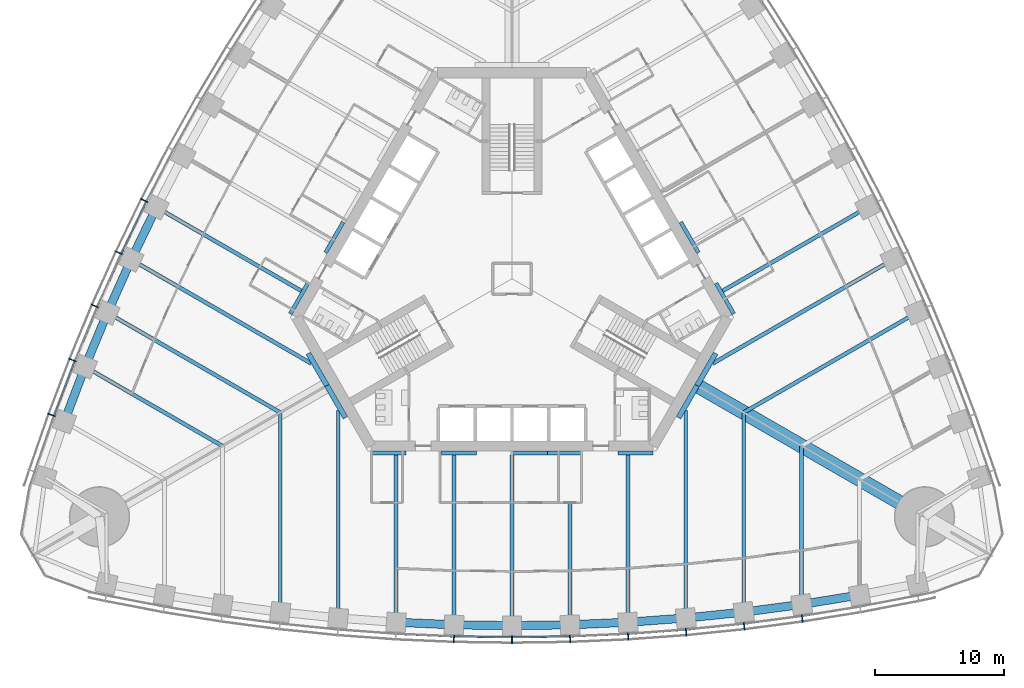
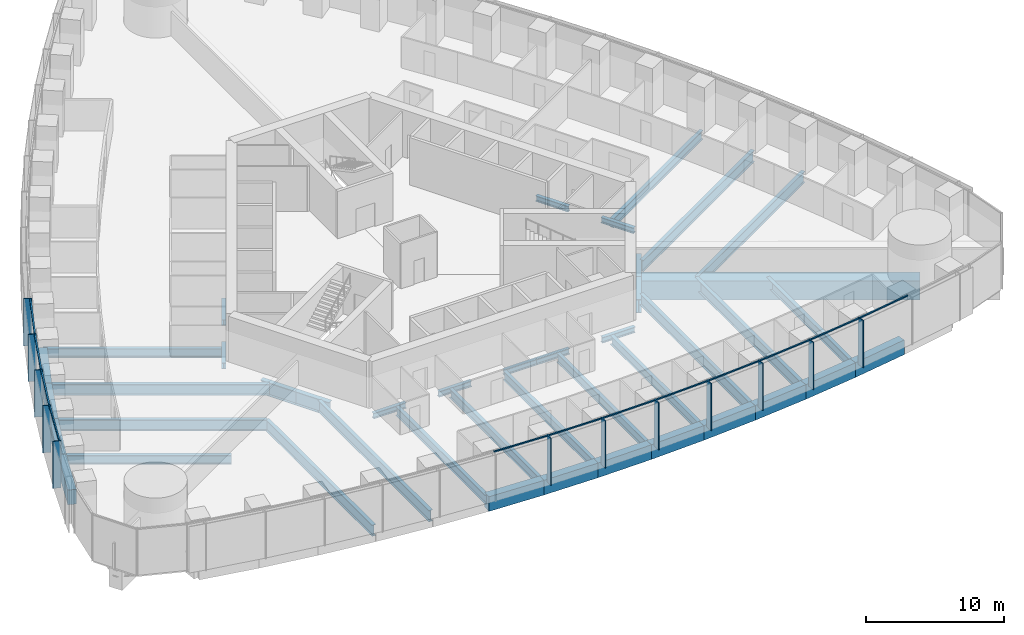
# One storey, part 3 of 19: 43 beams, 24 members, 2 elements without a shape of their own.
"""IFC4 building model written with IfcOpenShell, lengths in metres."""

import ifcopenshell
import ifcopenshell.guid

model = None  # the IFC model being written
_history = None  # IfcOwnerHistory: only IFC2X3 demands one
_inside = {}  # id of a spatial element -> (the spatial element, [elements in it])
_under = {}  # id of a project, library or spatial element -> (it, [spatial elements below it])
_declared = {}  # id of a project -> (the project, [libraries it declares])
_typed = {}  # id of a type object -> (the type object, [elements of that type])
_made_of = {}  # id of a material, layer set ... -> (it, [elements and type objects made of it])


def new_model(schema):
    """Start an empty IFC model of exactly this schema.

    Asked for "IFC4X3", IfcOpenShell would pick the latest addendum, in which some entities
    have other attributes; the version numbers below select the first issue.
    IFC2X3 requires an IfcOwnerHistory on every rooted entity: one is made here for all.
    """
    global model, _history
    if schema == "IFC4X3":
        model = ifcopenshell.file(schema_version=(4, 3, 0, 0))
    else:
        model = ifcopenshell.file(schema=schema)
    _inside.clear()
    _under.clear()
    _declared.clear()
    _typed.clear()
    _made_of.clear()
    _history = None
    if model.schema == "IFC2X3":
        org = make("IfcOrganization", Name="unknown")
        user = make(
            "IfcPersonAndOrganization",
            ThePerson=make("IfcPerson", FamilyName="unknown"),
            TheOrganization=org,
        )
        app = make(
            "IfcApplication",
            ApplicationDeveloper=org,
            Version="unknown",
            ApplicationFullName="unknown",
            ApplicationIdentifier="unknown",
        )
        _history = make(
            "IfcOwnerHistory",
            OwningUser=user,
            OwningApplication=app,
            ChangeAction="ADDED",
            CreationDate=0,
        )
    return model


def make(cls, **values):
    """One entity of the class cls with the attributes given. An attribute that is None is left unset."""
    return model.create_entity(
        cls, **{name: value for name, value in values.items() if value is not None}
    )


def rooted(cls, **values):
    """An entity with a GlobalId (a new one), such as an element, a storey or a relation."""
    return make(cls, GlobalId=ifcopenshell.guid.new(), OwnerHistory=_history, **values)


def si_unit(unit_type, name, prefix=None):
    """IfcSIUnit, for example si_unit("LENGTHUNIT", "METRE", prefix="MILLI")."""
    return make("IfcSIUnit", UnitType=unit_type, Prefix=prefix, Name=name)


def assignment(units):
    """IfcUnitAssignment: the units of a project."""
    return None if units is None else make("IfcUnitAssignment", Units=units)


def point(xyz):
    """IfcCartesianPoint."""
    return None if xyz is None else make("IfcCartesianPoint", Coordinates=xyz)


def direction(xyz):
    """IfcDirection."""
    return None if xyz is None else make("IfcDirection", DirectionRatios=xyz)


def frame(location, z_axis=None, x_axis=None):
    """IfcAxis2Placement3D, a coordinate frame: its origin and axes. An axis left out is left unset."""
    return make(
        "IfcAxis2Placement3D",
        Location=point(location),
        Axis=direction(z_axis),
        RefDirection=direction(x_axis),
    )


def frame_2d(location, x_axis=None):
    """IfcAxis2Placement2D, a coordinate frame in the plane: its origin and x axis."""
    return make(
        "IfcAxis2Placement2D", Location=point(location), RefDirection=direction(x_axis)
    )


def origin():
    """The frame at (0, 0, 0) with its axes left unset."""
    return frame((0.0, 0.0, 0.0))


def origin_2d():
    """The frame at (0, 0) in the plane with its x axis left unset."""
    return frame_2d((0.0, 0.0))


def place(relative_to, where):
    """IfcLocalPlacement: puts the frame where relative to a parent placement (None: the world)."""
    return make(
        "IfcLocalPlacement", PlacementRelTo=relative_to, RelativePlacement=where
    )


def context(
    kind, dimensions, precision=None, world=None, true_north=None, identifier=None
):
    """IfcGeometricRepresentationContext, for example the 3D "Model" context."""
    return make(
        "IfcGeometricRepresentationContext",
        ContextIdentifier=identifier,
        ContextType=kind,
        CoordinateSpaceDimension=dimensions,
        Precision=precision,
        WorldCoordinateSystem=world,
        TrueNorth=true_north,
    )


def subcontext(parent, identifier, kind, view, scale=None):
    """IfcGeometricRepresentationSubContext, for example "Body" below "Model"."""
    return make(
        "IfcGeometricRepresentationSubContext",
        ContextIdentifier=identifier,
        ContextType=kind,
        ParentContext=parent,
        TargetScale=scale,
        TargetView=view,
    )


def project(units=None, contexts=None):
    """IfcProject with its units and contexts."""
    return rooted(
        "IfcProject",
        Name="project",
        RepresentationContexts=contexts,
        UnitsInContext=assignment(units),
    )


def spatial(cls, under=None, at=None, **own):
    """A site, building, storey or space (cls), placed at a placement, below another one or the project."""
    s = rooted(cls, ObjectPlacement=at, **own)
    if under is not None:
        _under.setdefault(under.id(), (under, []))[1].append(s)
    return s


def profile(cls, at=None, kind="AREA", **sizes):
    """A parametric profile (cls). Its sizes go by their IFC names, for example OverallWidth=200.0."""
    return make(cls, ProfileType=kind, Position=at, **sizes)


def rectangle(**sizes):
    """IfcRectangleProfileDef."""
    return profile("IfcRectangleProfileDef", **sizes)


def i_section(**sizes):
    """IfcIShapeProfileDef."""
    return profile("IfcIShapeProfileDef", **sizes)


def extrude(swept, where, along, depth):
    """IfcExtrudedAreaSolid: the profile swept, set in the frame where, extruded along a direction by depth."""
    return make(
        "IfcExtrudedAreaSolid",
        SweptArea=swept,
        Position=where,
        ExtrudedDirection=direction(along),
        Depth=depth,
    )


def shape(context_of_items, identifier, shape_type, items):
    """IfcShapeRepresentation: the items that make up one representation, for example the "Body"."""
    return make(
        "IfcShapeRepresentation",
        ContextOfItems=context_of_items,
        RepresentationIdentifier=identifier,
        RepresentationType=shape_type,
        Items=items,
    )


def material(Name=None, Category=None):
    """IfcMaterial."""
    return make("IfcMaterial", Name=Name, Category=Category)


def material_profile(
    of_material, cross_section, Name=None, Category=None, Priority=None
):
    """IfcMaterialProfile: a cross section and its material."""
    return make(
        "IfcMaterialProfile",
        Name=Name,
        Material=of_material,
        Profile=cross_section,
        Priority=Priority,
        Category=Category,
    )


def profile_set(profiles, Name=None, composite=None):
    """IfcMaterialProfileSet."""
    return make(
        "IfcMaterialProfileSet",
        Name=Name,
        MaterialProfiles=profiles,
        CompositeProfile=composite,
    )


def made_of(thing, what):
    """Note that an element or type object is made of a material, layer set ...; save() writes the relation."""
    if what is not None:
        _made_of.setdefault(what.id(), (what, []))[1].append(thing)
    return thing


def type_object(cls, material=None, **own):
    """A type object (cls), such as IfcWallType, which elements share."""
    return made_of(rooted(cls, **own), material)


def element(
    cls,
    number,
    at=None,
    inside=None,
    cuts=None,
    type_object=None,
    material=None,
    context=None,
    identifier="Body",
    shape_type=None,
    held_by="IfcProductDefinitionShape",
    body=None,
    shapes=None,
    **own,
):
    """One element of the class cls, such as IfcWall. Its Tag is "e" and its number.

    at: its placement. inside: the storey or other place that contains it. cuts: it is an
    opening in that element (IfcRelVoidsElement). A single representation is given by context,
    identifier, shape_type and body (its items); several are given by shapes. held_by: the class
    of the entity that holds the representations. save() writes the other relations.
    """
    e = rooted(cls, Tag="e%d" % number, ObjectPlacement=at, **own)
    if body is not None:
        shapes = [shape(context, identifier, shape_type, body)]
    if shapes is not None:
        e.Representation = make(held_by, Representations=shapes)
    if inside is not None:
        _inside.setdefault(inside.id(), (inside, []))[1].append(e)
    if cuts is not None:
        rooted(
            "IfcRelVoidsElement", RelatingBuildingElement=cuts, RelatedOpeningElement=e
        )
    if type_object is not None:
        _typed.setdefault(type_object.id(), (type_object, []))[1].append(e)
    return made_of(e, material)


def aggregate(whole, parts):
    """IfcRelAggregates: a whole, such as a stair, and the parts it consists of."""
    return rooted("IfcRelAggregates", RelatingObject=whole, RelatedObjects=parts)


def save(model, path):
    """Write the relations noted so far, then the file.

    IfcRelAggregates (storeys below a building ...), IfcRelContainedInSpatialStructure (elements
    in a storey), IfcRelDefinesByType, IfcRelAssociatesMaterial and IfcRelDeclares: one each for
    every whole, place, type object, material and project.
    """
    for whole, parts in _under.values():
        aggregate(whole, parts)
    for where, things in _inside.values():
        rooted(
            "IfcRelContainedInSpatialStructure",
            RelatedElements=things,
            RelatingStructure=where,
        )
    for kind, things in _typed.values():
        rooted("IfcRelDefinesByType", RelatedObjects=things, RelatingType=kind)
    for what, things in _made_of.values():
        rooted("IfcRelAssociatesMaterial", RelatedObjects=things, RelatingMaterial=what)
    for by, libraries in _declared.values():
        rooted("IfcRelDeclares", RelatingContext=by, RelatedDefinitions=libraries)
    model.write(path)


model = new_model("IFC4")

# Units and contexts
model_context = context("Model", 3, precision=1e-05, world=origin(), true_north=direction((0.0, 1.0)))
body_context = subcontext(model_context, "Body", "Model", "MODEL_VIEW")
ifc_project = project(units=[si_unit("LENGTHUNIT", "METRE"), si_unit("AREAUNIT", "SQUARE_METRE"), si_unit("VOLUMEUNIT", "CUBIC_METRE"), si_unit("PLANEANGLEUNIT", "RADIAN"), si_unit("MASSUNIT", "GRAM", prefix="KILO")], contexts=[model_context])

# Site, building, storey
site_placement = place(None, origin())
site = spatial("IfcSite", under=ifc_project, at=site_placement, CompositionType="ELEMENT")
building_placement = place(site_placement, origin())
building = spatial("IfcBuilding", under=site, at=building_placement, Name="Trefoil Bronze Tower", CompositionType="ELEMENT")
storey_placement = place(building_placement, frame((0.0, 0.0, 20.699951171875)))
storey = spatial("IfcBuildingStorey", under=building, at=storey_placement, Name="L04", CompositionType="ELEMENT", Elevation=20.699951171875)

# Curtain wall, members
ifc_material_1 = material(Name="Tinted solar-control glass", Category="glass")
curtain_wall_type = type_object("IfcCurtainWallType", Name="Bronze office curtain wall", PredefinedType="USERDEFINED", material=ifc_material_1)
curtain_wall_1_placement = place(storey_placement, origin())
curtain_wall_1 = element("IfcCurtainWall", 1, at=curtain_wall_1_placement, inside=storey, type_object=curtain_wall_type, Name="CW-A L04 F1", ObjectType="CURTAIN WALL", PredefinedType="USERDEFINED")
ifc_material_2 = material(Name="Bronze-finish aluminium", Category="aluminium")
ifc_material_profile_1 = material_profile(ifc_material_2, rectangle(XDim=0.60009765625, YDim=0.080078125, at=origin_2d()), Name="CW-A mullion")
ifc_profile_set_1 = profile_set([ifc_material_profile_1], Name="Bronze-finish aluminium")
member_type_1 = type_object("IfcMemberType", Name="Bronze office curtain wall mullion", PredefinedType="MULLION", material=ifc_profile_set_1)
member_1_placement = place(storey_placement, frame((-4.5087890625, -27.9833984375, 0.0), z_axis=(0.0, 0.0, 1.0), x_axis=(0.029021671584, 0.999578782577, 0.0)))
member_1 = element("IfcMember", 2, at=member_1_placement, type_object=member_type_1, Name="CW-A L04 F1 mullion 8", PredefinedType="MULLION", context=body_context, shape_type="SweptSolid", body=[
    extrude(rectangle(XDim=0.60009765625, YDim=0.080078125, at=origin_2d()), origin(), (0.0, 0.0, 1.0), 4.179931640625),
])
member_2_placement = place(storey_placement, frame((0.0, -28.048828125, 0.0), z_axis=(0.0, 0.0, 1.0), x_axis=(0.0, 1.0, 0.0)))
member_2 = element("IfcMember", 3, at=member_2_placement, type_object=member_type_1, Name="CW-A L04 F1 mullion 9", PredefinedType="MULLION", context=body_context, shape_type="SweptSolid", body=[
    extrude(rectangle(XDim=0.60009765625, YDim=0.080078125, at=origin_2d()), origin(), (0.0, 0.0, 1.0), 4.179931640625),
])
member_3_placement = place(storey_placement, frame((4.5087890625, -27.9833984375, 0.0), z_axis=(0.0, 0.0, 1.0), x_axis=(-0.029021671584, 0.999578782577, 0.0)))
member_3 = element("IfcMember", 4, at=member_3_placement, type_object=member_type_1, Name="CW-A L04 F1 mullion 10", PredefinedType="MULLION", context=body_context, shape_type="SweptSolid", body=[
    extrude(rectangle(XDim=0.60009765625, YDim=0.080078125, at=origin_2d()), origin(), (0.0, 0.0, 1.0), 4.179931640625),
])
member_4_placement = place(storey_placement, frame((9.017333984375, -27.786865234375, 0.0), z_axis=(0.0, 0.0, 1.0), x_axis=(-0.058043374207, 0.998314062162, 0.0)))
member_4 = element("IfcMember", 5, at=member_4_placement, type_object=member_type_1, Name="CW-A L04 F1 mullion 11", PredefinedType="MULLION", context=body_context, shape_type="SweptSolid", body=[
    extrude(rectangle(XDim=0.60009765625, YDim=0.080078125, at=origin_2d()), origin(), (0.0, 0.0, 1.0), 4.179931640625),
])
member_5_placement = place(storey_placement, frame((13.526123046875, -27.458984375, 0.0), z_axis=(0.0, 0.0, 1.0), x_axis=(-0.087065139456, 0.996202620701, 0.0)))
member_5 = element("IfcMember", 6, at=member_5_placement, type_object=member_type_1, Name="CW-A L04 F1 mullion 12", PredefinedType="MULLION", context=body_context, shape_type="SweptSolid", body=[
    extrude(rectangle(XDim=0.60009765625, YDim=0.080078125, at=origin_2d()), origin(), (0.0, 0.0, 1.0), 4.179931640625),
])
member_6_placement = place(storey_placement, frame((18.034912109375, -26.99853515625, 0.0), z_axis=(0.0, 0.0, 1.0), x_axis=(-0.116086999973, 0.993239048989, 0.0)))
member_6 = element("IfcMember", 7, at=member_6_placement, type_object=member_type_1, Name="CW-A L04 F1 mullion 13", PredefinedType="MULLION", context=body_context, shape_type="SweptSolid", body=[
    extrude(rectangle(XDim=0.60009765625, YDim=0.080078125, at=origin_2d()), origin(), (0.0, 0.0, 1.0), 4.179931640625),
])
member_7_placement = place(storey_placement, frame((22.54345703125, -26.40478515625, 0.0), z_axis=(0.0, 0.0, 1.0), x_axis=(-0.145108990094, 0.989415676546, 0.0)))
member_7 = element("IfcMember", 8, at=member_7_placement, type_object=member_type_1, Name="CW-A L04 F1 mullion 14", PredefinedType="MULLION", context=body_context, shape_type="SweptSolid", body=[
    extrude(rectangle(XDim=0.60009765625, YDim=0.080078125, at=origin_2d()), origin(), (0.0, 0.0, 1.0), 4.179931640625),
])

curtain_wall_2_placement = place(storey_placement, origin())
curtain_wall_2 = element("IfcCurtainWall", 9, at=curtain_wall_2_placement, inside=storey, type_object=curtain_wall_type, Name="CW-A L04 F3", ObjectType="CURTAIN WALL", PredefinedType="USERDEFINED")
member_8_placement = place(storey_placement, frame((-28.57275390625, 6.084228515625, 0.0), z_axis=(0.0, 0.0, 1.0), x_axis=(0.893587025891, -0.448889994497, 0.0)))
member_8 = element("IfcMember", 10, at=member_8_placement, type_object=member_type_1, Name="CW-A L04 F3 mullion 11", PredefinedType="MULLION", context=body_context, shape_type="SweptSolid", body=[
    extrude(rectangle(XDim=0.60009765625, YDim=0.080078125, at=origin_2d()), origin(), (0.0, 0.0, 1.0), 4.179931640625),
])
member_9_placement = place(storey_placement, frame((-30.543212890625, 2.015380859375, 0.0), z_axis=(0.0, 0.0, 1.0), x_axis=(0.906269346572, -0.422700687798, 0.0)))
member_9 = element("IfcMember", 11, at=member_9_placement, type_object=member_type_1, Name="CW-A L04 F3 mullion 12", PredefinedType="MULLION", context=body_context, shape_type="SweptSolid", body=[
    extrude(rectangle(XDim=0.60009765625, YDim=0.080078125, at=origin_2d()), origin(), (0.0, 0.0, 1.0), 4.179931640625),
])
member_10_placement = place(storey_placement, frame((-32.39892578125, -2.119384765625, 0.0), z_axis=(0.0, 0.0, 1.0), x_axis=(0.918213748442, -0.396085233469, 0.0)))
member_10 = element("IfcMember", 12, at=member_10_placement, type_object=member_type_1, Name="CW-A L04 F3 mullion 13", PredefinedType="MULLION", context=body_context, shape_type="SweptSolid", body=[
    extrude(rectangle(XDim=0.60009765625, YDim=0.080078125, at=origin_2d()), origin(), (0.0, 0.0, 1.0), 4.179931640625),
])
member_11_placement = place(storey_placement, frame((-34.138916015625, -6.32080078125, 0.0), z_axis=(0.0, 0.0, 1.0), x_axis=(0.929413605838, -0.369039766534, 0.0)))
member_11 = element("IfcMember", 13, at=member_11_placement, type_object=member_type_1, Name="CW-A L04 F3 mullion 14", PredefinedType="MULLION", context=body_context, shape_type="SweptSolid", body=[
    extrude(rectangle(XDim=0.60009765625, YDim=0.080078125, at=origin_2d()), origin(), (0.0, 0.0, 1.0), 4.179931640625),
])
member_12_placement = place(storey_placement, frame((-35.761962890625, -10.590087890625, 0.0), z_axis=(0.0, 0.0, 1.0), x_axis=(0.939860248316, -0.341559238839, 0.0)))
member_12 = element("IfcMember", 14, at=member_12_placement, type_object=member_type_1, Name="CW-A L04 F3 mullion 15", PredefinedType="MULLION", context=body_context, shape_type="SweptSolid", body=[
    extrude(rectangle(XDim=0.60009765625, YDim=0.080078125, at=origin_2d()), origin(), (0.0, 0.0, 1.0), 4.179931640625),
])

# Member
ifc_material_3 = material(Name="Bronze-finish aluminium", Category="aluminium")
ifc_material_profile_2 = material_profile(ifc_material_3, rectangle(XDim=0.1201171875, YDim=0.10009765625, at=origin_2d()), Name="CW-A transom")
ifc_profile_set_2 = profile_set([ifc_material_profile_2], Name="Bronze-finish aluminium")
member_type_2 = type_object("IfcMemberType", Name="Bronze office curtain wall transom", PredefinedType="USERDEFINED", material=ifc_profile_set_2)
member_13_placement = place(storey_placement, frame((-8.96435546875, -27.589111328125, 4.130126953125), z_axis=(0.999054074786, -0.043485119914, 0.0), x_axis=(0.043485119914, 0.999054074786, 0.0)))
member_13 = element("IfcMember", 15, at=member_13_placement, type_object=member_type_2, Name="CW-A L04 F1 transom 7", ObjectType="TRANSOM", PredefinedType="USERDEFINED", context=body_context, shape_type="SweptSolid", body=[
    extrude(rectangle(XDim=0.1201171875, YDim=0.10009765625, at=origin_2d()), origin(), (0.0, 0.0, 1.0), 4.424072265625),
])

member_14_placement = place(storey_placement, frame((-4.46142578125, -27.783935546875, 4.130126953125), z_axis=(0.999894497273, -0.014525643658, 0.0), x_axis=(0.014525643658, 0.999894497273, 0.0)))
member_14 = element("IfcMember", 16, at=member_14_placement, type_object=member_type_2, Name="CW-A L04 F1 transom 8", ObjectType="TRANSOM", PredefinedType="USERDEFINED", context=body_context, shape_type="SweptSolid", body=[
    extrude(rectangle(XDim=0.1201171875, YDim=0.10009765625, at=origin_2d()), origin(), (0.0, 0.0, 1.0), 4.42041015625),
])

member_15_placement = place(storey_placement, frame((0.04150390625, -27.84814453125, 4.130126953125), z_axis=(0.999894497273, 0.014525643658, 0.0), x_axis=(-0.014525643658, 0.999894497273, 0.0)))
member_15 = element("IfcMember", 17, at=member_15_placement, type_object=member_type_2, Name="CW-A L04 F1 transom 9", ObjectType="TRANSOM", PredefinedType="USERDEFINED", context=body_context, shape_type="SweptSolid", body=[
    extrude(rectangle(XDim=0.1201171875, YDim=0.10009765625, at=origin_2d()), origin(), (0.0, 0.0, 1.0), 4.42041015625),
])

member_16_placement = place(storey_placement, frame((4.54443359375, -27.781494140625, 4.130126953125), z_axis=(0.999054074786, 0.043485119914, 0.0), x_axis=(-0.043485119914, 0.999054074786, 0.0)))
member_16 = element("IfcMember", 18, at=member_16_placement, type_object=member_type_2, Name="CW-A L04 F1 transom 10", ObjectType="TRANSOM", PredefinedType="USERDEFINED", context=body_context, shape_type="SweptSolid", body=[
    extrude(rectangle(XDim=0.1201171875, YDim=0.10009765625, at=origin_2d()), origin(), (0.0, 0.0, 1.0), 4.424072265625),
])

member_17_placement = place(storey_placement, frame((9.047119140625, -27.584228515625, 4.130126953125), z_axis=(0.997364729945, 0.07255064067, 0.0), x_axis=(-0.07255064067, 0.997364729945, 0.0)))
member_17 = element("IfcMember", 19, at=member_17_placement, type_object=member_type_2, Name="CW-A L04 F1 transom 11", ObjectType="TRANSOM", PredefinedType="USERDEFINED", context=body_context, shape_type="SweptSolid", body=[
    extrude(rectangle(XDim=0.1201171875, YDim=0.10009765625, at=origin_2d()), origin(), (0.0, 0.0, 1.0), 4.431884765625),
])

member_18_placement = place(storey_placement, frame((13.550048828125, -27.25537109375, 4.130126953125), z_axis=(0.994831650915, 0.101538102888, 0.0), x_axis=(-0.101538102888, 0.994831650915, 0.0)))
member_18 = element("IfcMember", 20, at=member_18_placement, type_object=member_type_2, Name="CW-A L04 F1 transom 12", ObjectType="TRANSOM", PredefinedType="USERDEFINED", context=body_context, shape_type="SweptSolid", body=[
    extrude(rectangle(XDim=0.1201171875, YDim=0.10009765625, at=origin_2d()), origin(), (0.0, 0.0, 1.0), 4.443359375),
])

member_19_placement = place(storey_placement, frame((18.052734375, -26.79443359375, 4.130126953125), z_axis=(0.991436581643, 0.13058906761, 0.0), x_axis=(-0.13058906761, 0.991436581643, 0.0)))
member_19 = element("IfcMember", 21, at=member_19_placement, type_object=member_type_2, Name="CW-A L04 F1 transom 13", ObjectType="TRANSOM", PredefinedType="USERDEFINED", context=body_context, shape_type="SweptSolid", body=[
    extrude(rectangle(XDim=0.1201171875, YDim=0.10009765625, at=origin_2d()), origin(), (0.0, 0.0, 1.0), 4.458740234375),
])

member_20_placement = place(storey_placement, frame((22.555419921875, -26.2001953125, 4.130126953125), z_axis=(0.987179401487, 0.159614627398, 0.0), x_axis=(-0.159614627398, 0.987179401487, 0.0)))
member_20 = element("IfcMember", 22, at=member_20_placement, type_object=member_type_2, Name="CW-A L04 F1 transom 14", ObjectType="TRANSOM", PredefinedType="USERDEFINED", context=body_context, shape_type="SweptSolid", body=[
    extrude(rectangle(XDim=0.1201171875, YDim=0.10009765625, at=origin_2d()), origin(), (0.0, 0.0, 1.0), 4.478515625),
])

aggregate(curtain_wall_1, [member_1, member_2, member_3, member_4, member_5, member_6, member_7, member_13, member_14, member_15, member_16, member_17, member_18, member_19, member_20])

member_21_placement = place(storey_placement, frame((-28.412109375, 5.95703125, 4.130126953125), z_axis=(-0.435851763293, -0.900018466719, 0.0), x_axis=(0.900018466719, -0.435851763293, 0.0)))
member_21 = element("IfcMember", 23, at=member_21_placement, type_object=member_type_2, Name="CW-A L04 F3 transom 11", ObjectType="TRANSOM", PredefinedType="USERDEFINED", context=body_context, shape_type="SweptSolid", body=[
    extrude(rectangle(XDim=0.1201171875, YDim=0.10009765625, at=origin_2d()), origin(), (0.0, 0.0, 1.0), 4.431884765625),
])

member_22_placement = place(storey_placement, frame((-30.37890625, 1.89306640625, 4.130126953125), z_axis=(-0.409459746452, -0.912328184392, 0.0), x_axis=(0.912328184392, -0.409459746452, 0.0)))
member_22 = element("IfcMember", 24, at=member_22_placement, type_object=member_type_2, Name="CW-A L04 F3 transom 12", ObjectType="TRANSOM", PredefinedType="USERDEFINED", context=body_context, shape_type="SweptSolid", body=[
    extrude(rectangle(XDim=0.1201171875, YDim=0.10009765625, at=origin_2d()), origin(), (0.0, 0.0, 1.0), 4.443359375),
])

member_23_placement = place(storey_placement, frame((-32.231201171875, -2.23681640625, 4.130126953125), z_axis=(-0.382616149417, -0.923907399151, 0.0), x_axis=(0.923907399151, -0.382616149417, 0.0)))
member_23 = element("IfcMember", 25, at=member_23_placement, type_object=member_type_2, Name="CW-A L04 F3 transom 13", ObjectType="TRANSOM", PredefinedType="USERDEFINED", context=body_context, shape_type="SweptSolid", body=[
    extrude(rectangle(XDim=0.1201171875, YDim=0.10009765625, at=origin_2d()), origin(), (0.0, 0.0, 1.0), 4.458984375),
])

member_24_placement = place(storey_placement, frame((-33.9677734375, -6.433349609375, 4.130126953125), z_axis=(-0.355367327392, -0.934726731522, 0.0), x_axis=(0.934726731522, -0.355367327392, 0.0)))
member_24 = element("IfcMember", 26, at=member_24_placement, type_object=member_type_2, Name="CW-A L04 F3 transom 14", ObjectType="TRANSOM", PredefinedType="USERDEFINED", context=body_context, shape_type="SweptSolid", body=[
    extrude(rectangle(XDim=0.1201171875, YDim=0.10009765625, at=origin_2d()), origin(), (0.0, 0.0, 1.0), 4.478515625),
])

aggregate(curtain_wall_2, [member_8, member_9, member_10, member_11, member_12, member_21, member_22, member_23, member_24])

# Beams
ifc_material_4 = material(Name="Steel C355", Category="steel")
ifc_material_profile_3 = material_profile(ifc_material_4, i_section(OverallWidth=0.300048828125, OverallDepth=0.5, WebThickness=0.014404296875, FlangeThickness=0.028076171875, FilletRadius=0.027099609375, at=origin_2d()), Name="HEB 500")
ifc_profile_set_3 = profile_set([ifc_material_profile_3], Name="Steel C355")
beam_type_1 = type_object("IfcBeamType", Name="Core seat beam HEB 500", PredefinedType="BEAM", material=ifc_profile_set_3)
for number, where, z_axis, x_axis, name in (
    (27, (-10.9697265625, -13.550048828125, -0.449951171875), (1.0, 0.0, 0.0), (0.0, 1.0, 0.0), "Core seat beam F1/-2 L04"),
    (28, (-5.48486328125, -13.550048828125, -0.449951171875), (1.0, 0.0, 0.0), (0.0, 1.0, 0.0), "Core seat beam F1/-1 L04"),
    (29, (0.0, -13.550048828125, -0.449951171875), (1.0, 0.0, 0.0), (0.0, 1.0, 0.0), "Core seat beam F1/+0 L04"),
    (30, (2.742431640625, -13.550048828125, -0.449951171875), (1.0, 0.0, 0.0), (0.0, 1.0, 0.0), "Core seat beam F1/+1 L04"),
    (31, (8.227294921875, -13.550048828125, -0.449951171875), (1.0, 0.0, 0.0), (0.0, 1.0, 0.0), "Core seat beam F1/+2 L04"),
    (32, (17.219482421875, -2.72509765625, -0.449951171875), (-0.500035825175, 0.866004719122, 0.0), (-0.866004719122, -0.500035825175, 0.0), "Core seat beam F2/-2 L04"),
    (33, (14.47705078125, 2.02490234375, -0.449951171875), (-0.499969057507, 0.866043267704, 0.0), (-0.866043267704, -0.499969057507, 0.0), "Core seat beam F2/-1 L04"),
    (34, (-13.10595703125, 4.39990234375, -0.449951171875), (-0.499969057507, -0.866043267704, 0.0), (0.866043267704, -0.499969057507, 0.0), "Core seat beam F3/+1 L04"),
    (35, (-15.84814453125, -0.35009765625, -0.449951171875), (-0.500035825175, -0.866004719122, 0.0), (0.866004719122, -0.500035825175, 0.0), "Core seat beam F3/+2 L04"),
):
    element("IfcBeam", number, at=place(storey_placement, frame(where, z_axis=z_axis, x_axis=x_axis)), inside=storey, type_object=beam_type_1, Name=name, PredefinedType="BEAM", context=body_context, shape_type="SweptSolid", body=[
        extrude(i_section(OverallWidth=0.300048828125, OverallDepth=0.5, WebThickness=0.014404296875, FlangeThickness=0.028076171875, FilletRadius=0.027099609375, at=origin_2d()), origin(), (0.0, 0.0, 1.0), 2.742431640625),
    ])
ifc_material_5 = material(Name="Steel C355", Category="steel")
ifc_material_profile_4 = material_profile(ifc_material_5, i_section(OverallWidth=0.39990234375, OverallDepth=1.199951171875, WebThickness=0.02001953125, FlangeThickness=0.0400390625, FilletRadius=0.010009765625, at=origin_2d()), Name="WPG 1200")
ifc_profile_set_4 = profile_set([ifc_material_profile_4], Name="Steel C355")
beam_type_2 = type_object("IfcBeamType", Name="Core seat beam WPG 1200", PredefinedType="BEAM", material=ifc_profile_set_4)
for number, where, z_axis, x_axis, name in (
    (36, (-14.3759765625, -8.300048828125, -0.800048828125), (0.499995765644, -0.866027848477, 0.0), (0.866027848477, 0.499995765644, 0.0), "Core seat beam F1/-3 L04"),
    (37, (12.9326171875, -10.800048828125, -0.800048828125), (0.499995765644, 0.866027848477, 0.0), (-0.866027848477, 0.499995765644, 0.0), "Core seat beam F1/+3 L04"),
    (38, (14.3759765625, -8.300048828125, -0.800048828125), (0.499995765644, 0.866027848477, 0.0), (-0.866027848477, 0.499995765644, 0.0), "Core seat beam F2/-3 L04"),
    (39, (-15.8193359375, -5.800048828125, -0.800048828125), (0.499995765644, -0.866027848477, 0.0), (0.866027848477, 0.499995765644, 0.0), "Core seat beam F3/+3 L04"),
):
    element("IfcBeam", number, at=place(storey_placement, frame(where, z_axis=z_axis, x_axis=x_axis)), inside=storey, type_object=beam_type_2, Name=name, PredefinedType="BEAM", context=body_context, shape_type="SweptSolid", body=[
        extrude(i_section(OverallWidth=0.39990234375, OverallDepth=1.199951171875, WebThickness=0.02001953125, FlangeThickness=0.0400390625, FilletRadius=0.010009765625, at=origin_2d()), origin(), (0.0, 0.0, 1.0), 2.88671875),
    ])
ifc_material_6 = material(Name="Concrete B80", Category="concrete")
ifc_material_profile_5 = material_profile(ifc_material_6, rectangle(XDim=1.10009765625, YDim=1.699951171875, at=origin_2d()), Name="RC 1100x1700")
ifc_profile_set_5 = profile_set([ifc_material_profile_5], Name="Concrete B80")
beam_type_3 = type_object("IfcBeamType", Name="Corner girder RC 1100x1700", PredefinedType="BEAM", material=ifc_profile_set_5)
beam_1_placement = place(storey_placement, frame((14.202880859375, -8.199951171875, -1.050048828125), z_axis=(0.866023947468, -0.500002522405, 0.0), x_axis=(0.500002522405, 0.866023947468, 0.0)))
element("IfcBeam", 40, at=beam_1_placement, inside=storey, type_object=beam_type_3, Name="Corner girder K1 L04", PredefinedType="BEAM", context=body_context, shape_type="SweptSolid", body=[
    extrude(rectangle(XDim=1.10009765625, YDim=1.699951171875, at=origin_2d()), origin(), (0.0, 0.0, 1.0), 20.60009765625),
])
ifc_material_7 = material(Name="Steel C355", Category="steel")
ifc_material_profile_6 = material_profile(ifc_material_7, i_section(OverallWidth=0.300048828125, OverallDepth=1.0, WebThickness=0.01904296875, FlangeThickness=0.035888671875, FilletRadius=0.030029296875, at=origin_2d()), Name="HEB 1000")
ifc_profile_set_6 = profile_set([ifc_material_profile_6], Name="Steel C355")
beam_type_4 = type_object("IfcBeamType", Name="Floor beam HEB 1000", PredefinedType="BEAM", material=ifc_profile_set_6)
for number, where, z_axis, x_axis, name in (
    (41, (-18.0, -25.895263671875, -0.699951171875), (0.0, 1.0, 0.0), (-1.0, 0.0, 0.0), "Floor beam F1/-4 L04"),
    (42, (18.0, -25.895263671875, -0.699951171875), (0.0, 1.0, 0.0), (-1.0, 0.0, 0.0), "Floor beam F1/+4 L04"),
):
    element("IfcBeam", number, at=place(storey_placement, frame(where, z_axis=z_axis, x_axis=x_axis)), inside=storey, type_object=beam_type_4, Name=name, PredefinedType="BEAM", context=body_context, shape_type="SweptSolid", body=[
        extrude(i_section(OverallWidth=0.300048828125, OverallDepth=1.0, WebThickness=0.01904296875, FlangeThickness=0.035888671875, FilletRadius=0.030029296875, at=origin_2d()), origin(), (0.0, 0.0, 1.0), 15.5029296875),
    ])
for number, where, z_axis, x_axis, name in (
    (43, (31.42578125, -2.640869140625, -0.699951171875), (-0.866022989816, -0.500004181093, 0.0), (0.500004181093, -0.866022989816, 0.0), "Floor beam F2/-4 L04"),
    (44, (-31.42578125, -2.640869140625, -0.699951171875), (0.866022989816, -0.500004181093, 0.0), (0.500004181093, 0.866022989816, 0.0), "Floor beam F3/+4 L04"),
):
    element("IfcBeam", number, at=place(storey_placement, frame(where, z_axis=z_axis, x_axis=x_axis)), inside=storey, type_object=beam_type_4, Name=name, PredefinedType="BEAM", context=body_context, shape_type="SweptSolid", body=[
        extrude(i_section(OverallWidth=0.300048828125, OverallDepth=1.0, WebThickness=0.01904296875, FlangeThickness=0.035888671875, FilletRadius=0.030029296875, at=origin_2d()), origin(), (0.0, 0.0, 1.0), 15.502685546875),
    ])
ifc_material_8 = material(Name="Steel C355", Category="steel")
ifc_material_profile_7 = material_profile(ifc_material_8, i_section(OverallWidth=0.300048828125, OverallDepth=0.800048828125, WebThickness=0.017578125, FlangeThickness=0.032958984375, FilletRadius=0.030029296875, at=origin_2d()), Name="HEB 800")
ifc_profile_set_7 = profile_set([ifc_material_profile_7], Name="Steel C355")
beam_type_5 = type_object("IfcBeamType", Name="Floor beam HEB 800", PredefinedType="BEAM", material=ifc_profile_set_7)
beam_2_placement = place(storey_placement, frame((-9.0, -26.68603515625, -0.599853515625), z_axis=(0.0, 1.0, 0.0), x_axis=(-1.0, 0.0, 0.0)))
element("IfcBeam", 45, at=beam_2_placement, inside=storey, type_object=beam_type_5, Name="Floor beam F1/-2 L04", PredefinedType="BEAM", context=body_context, shape_type="SweptSolid", body=[
    extrude(i_section(OverallWidth=0.300048828125, OverallDepth=0.800048828125, WebThickness=0.017578125, FlangeThickness=0.032958984375, FilletRadius=0.030029296875, at=origin_2d()), origin(), (0.0, 0.0, 1.0), 12.986083984375),
])
beam_3_placement = place(storey_placement, frame((-4.5, -26.883056640625, -0.599853515625), z_axis=(0.0, 1.0, 0.0), x_axis=(-1.0, 0.0, 0.0)))
element("IfcBeam", 46, at=beam_3_placement, inside=storey, type_object=beam_type_5, Name="Floor beam F1/-1 L04", PredefinedType="BEAM", context=body_context, shape_type="SweptSolid", body=[
    extrude(i_section(OverallWidth=0.300048828125, OverallDepth=0.800048828125, WebThickness=0.017578125, FlangeThickness=0.032958984375, FilletRadius=0.030029296875, at=origin_2d()), origin(), (0.0, 0.0, 1.0), 13.18310546875),
])
beam_4_placement = place(storey_placement, frame((0.0, -26.94873046875, -0.599853515625), z_axis=(0.0, 1.0, 0.0), x_axis=(-1.0, 0.0, 0.0)))
element("IfcBeam", 47, at=beam_4_placement, inside=storey, type_object=beam_type_5, Name="Floor beam F1/+0 L04", PredefinedType="BEAM", context=body_context, shape_type="SweptSolid", body=[
    extrude(i_section(OverallWidth=0.300048828125, OverallDepth=0.800048828125, WebThickness=0.017578125, FlangeThickness=0.032958984375, FilletRadius=0.030029296875, at=origin_2d()), origin(), (0.0, 0.0, 1.0), 13.248779296875),
])
beam_5_placement = place(storey_placement, frame((4.5, -26.883056640625, -0.599853515625), z_axis=(0.0, 1.0, 0.0), x_axis=(-1.0, 0.0, 0.0)))
element("IfcBeam", 48, at=beam_5_placement, inside=storey, type_object=beam_type_5, Name="Floor beam F1/+1 L04", PredefinedType="BEAM", context=body_context, shape_type="SweptSolid", body=[
    extrude(i_section(OverallWidth=0.300048828125, OverallDepth=0.800048828125, WebThickness=0.017578125, FlangeThickness=0.032958984375, FilletRadius=0.030029296875, at=origin_2d()), origin(), (0.0, 0.0, 1.0), 13.18310546875),
])
beam_6_placement = place(storey_placement, frame((9.0, -26.68603515625, -0.599853515625), z_axis=(0.0, 1.0, 0.0), x_axis=(-1.0, 0.0, 0.0)))
element("IfcBeam", 49, at=beam_6_placement, inside=storey, type_object=beam_type_5, Name="Floor beam F1/+2 L04", PredefinedType="BEAM", context=body_context, shape_type="SweptSolid", body=[
    extrude(i_section(OverallWidth=0.300048828125, OverallDepth=0.800048828125, WebThickness=0.017578125, FlangeThickness=0.032958984375, FilletRadius=0.030029296875, at=origin_2d()), origin(), (0.0, 0.0, 1.0), 12.986083984375),
])
beam_7_placement = place(storey_placement, frame((22.5, -25.29931640625, -0.599853515625), z_axis=(0.0, 1.0, 0.0), x_axis=(-1.0, 0.0, 0.0)))
element("IfcBeam", 50, at=beam_7_placement, inside=storey, type_object=beam_type_5, Name="Floor beam F1/+5 L04", PredefinedType="BEAM", context=body_context, shape_type="SweptSolid", body=[
    extrude(i_section(OverallWidth=0.300048828125, OverallDepth=0.800048828125, WebThickness=0.017578125, FlangeThickness=0.032958984375, FilletRadius=0.030029296875, at=origin_2d()), origin(), (0.0, 0.0, 1.0), 12.308837890625),
])
for number, where, z_axis, x_axis, name in (
    (51, (27.61083984375, 5.548828125, -0.599853515625), (-0.866022474361, -0.500005073876, 0.0), (0.500005073876, -0.866022474361, 0.0), "Floor beam F2/-2 L04"),
    (52, (-27.61083984375, 5.548828125, -0.599853515625), (0.866022474361, -0.500005073876, 0.0), (0.500005073876, 0.866022474361, 0.0), "Floor beam F3/+2 L04"),
):
    element("IfcBeam", number, at=place(storey_placement, frame(where, z_axis=z_axis, x_axis=x_axis)), inside=storey, type_object=beam_type_5, Name=name, PredefinedType="BEAM", context=body_context, shape_type="SweptSolid", body=[
        extrude(i_section(OverallWidth=0.300048828125, OverallDepth=0.800048828125, WebThickness=0.017578125, FlangeThickness=0.032958984375, FilletRadius=0.030029296875, at=origin_2d()), origin(), (0.0, 0.0, 1.0), 12.986083984375),
    ])
beam_8_placement = place(storey_placement, frame((-33.159912109375, -6.8359375, -0.599853515625), z_axis=(0.866024070878, -0.500002308654, 0.0), x_axis=(0.500002308654, 0.866024070878, 0.0)))
element("IfcBeam", 53, at=beam_8_placement, inside=storey, type_object=beam_type_5, Name="Floor beam F3/+5 L04", PredefinedType="BEAM", context=body_context, shape_type="SweptSolid", body=[
    extrude(i_section(OverallWidth=0.300048828125, OverallDepth=0.800048828125, WebThickness=0.017578125, FlangeThickness=0.032958984375, FilletRadius=0.030029296875, at=origin_2d()), origin(), (0.0, 0.0, 1.0), 12.30908203125),
])
ifc_material_9 = material(Name="Steel C355", Category="steel")
ifc_material_profile_8 = material_profile(ifc_material_9, i_section(OverallWidth=0.302001953125, OverallDepth=1.008056640625, WebThickness=0.02099609375, FlangeThickness=0.0400390625, FilletRadius=0.030029296875, at=origin_2d()), Name="HEM 1000")
ifc_profile_set_8 = profile_set([ifc_material_profile_8], Name="Steel C355")
beam_type_6 = type_object("IfcBeamType", Name="Floor beam HEM 1000", PredefinedType="BEAM", material=ifc_profile_set_8)
for number, where, z_axis, x_axis, name in (
    (54, (-13.5, -26.35693359375, -0.703857421875), (0.0, 1.0, 0.0), (-1.0, 0.0, 0.0), "Floor beam F1/-3 L04"),
    (55, (13.5, -26.35693359375, -0.703857421875), (0.0, 1.0, 0.0), (-1.0, 0.0, 0.0), "Floor beam F1/+3 L04"),
):
    element("IfcBeam", number, at=place(storey_placement, frame(where, z_axis=z_axis, x_axis=x_axis)), inside=storey, type_object=beam_type_6, Name=name, PredefinedType="BEAM", context=body_context, shape_type="SweptSolid", body=[
        extrude(i_section(OverallWidth=0.302001953125, OverallDepth=1.008056640625, WebThickness=0.02099609375, FlangeThickness=0.0400390625, FilletRadius=0.030029296875, at=origin_2d()), origin(), (0.0, 0.0, 1.0), 16.1396484375),
    ])
for number, where, z_axis, x_axis, name in (
    (56, (29.575927734375, 1.487060546875, -0.703857421875), (-0.866028401131, -0.499994808408, 0.0), (0.499994808408, -0.866028401131, 0.0), "Floor beam F2/-3 L04"),
    (57, (-29.575927734375, 1.487060546875, -0.703857421875), (0.866028401131, -0.499994808408, 0.0), (0.499994808408, 0.866028401131, 0.0), "Floor beam F3/+3 L04"),
):
    element("IfcBeam", number, at=place(storey_placement, frame(where, z_axis=z_axis, x_axis=x_axis)), inside=storey, type_object=beam_type_6, Name=name, PredefinedType="BEAM", context=body_context, shape_type="SweptSolid", body=[
        extrude(i_section(OverallWidth=0.302001953125, OverallDepth=1.008056640625, WebThickness=0.02099609375, FlangeThickness=0.0400390625, FilletRadius=0.030029296875, at=origin_2d()), origin(), (0.0, 0.0, 1.0), 16.139892578125),
    ])
ifc_material_10 = material(Name="Concrete B80", Category="concrete")
ifc_material_profile_9 = material_profile(ifc_material_10, rectangle(XDim=0.64990234375, YDim=1.300048828125, at=origin_2d()), Name="RC 650x1300")
ifc_profile_set_9 = profile_set([ifc_material_profile_9], Name="Concrete B80")
beam_type_7 = type_object("IfcBeamType", Name="Spandrel beam RC 650x1300", PredefinedType="SPANDREL", material=ifc_profile_set_9)
beam_9_placement = place(storey_placement, frame((-9.0, -26.68603515625, -0.849853515625), z_axis=(0.999042919826, -0.043740648671, 0.0), x_axis=(0.043740648671, 0.999042919826, 0.0)))
element("IfcBeam", 58, at=beam_9_placement, inside=storey, type_object=beam_type_7, Name="Spandrel F1.7 L04", PredefinedType="SPANDREL", context=body_context, shape_type="SweptSolid", body=[
    extrude(rectangle(XDim=0.64990234375, YDim=1.300048828125, at=origin_2d()), origin(), (0.0, 0.0, 1.0), 4.50439453125),
])
for number, where, z_axis, x_axis, name in (
    (59, (-4.5, -26.883056640625, -0.849853515625), (0.999893521905, -0.014592630067, 0.0), (0.014592630067, 0.999893521905, 0.0), "Spandrel F1.8 L04"),
    (60, (0.0, -26.94873046875, -0.849853515625), (0.999893521905, 0.014592630067, 0.0), (-0.014592630067, 0.999893521905, 0.0), "Spandrel F1.9 L04"),
):
    element("IfcBeam", number, at=place(storey_placement, frame(where, z_axis=z_axis, x_axis=x_axis)), inside=storey, type_object=beam_type_7, Name=name, PredefinedType="SPANDREL", context=body_context, shape_type="SweptSolid", body=[
        extrude(rectangle(XDim=0.64990234375, YDim=1.300048828125, at=origin_2d()), origin(), (0.0, 0.0, 1.0), 4.50048828125),
    ])
beam_10_placement = place(storey_placement, frame((4.5, -26.883056640625, -0.849853515625), z_axis=(0.999042919826, 0.043740648671, 0.0), x_axis=(-0.043740648671, 0.999042919826, 0.0)))
element("IfcBeam", 61, at=beam_10_placement, inside=storey, type_object=beam_type_7, Name="Spandrel F1.10 L04", PredefinedType="SPANDREL", context=body_context, shape_type="SweptSolid", body=[
    extrude(rectangle(XDim=0.64990234375, YDim=1.300048828125, at=origin_2d()), origin(), (0.0, 0.0, 1.0), 4.50439453125),
])
beam_11_placement = place(storey_placement, frame((9.0, -26.68603515625, -0.849853515625), z_axis=(0.997336412354, 0.072938882588, 0.0), x_axis=(-0.072938882588, 0.997336412354, 0.0)))
element("IfcBeam", 62, at=beam_11_placement, inside=storey, type_object=beam_type_7, Name="Spandrel F1.11 L04", PredefinedType="SPANDREL", context=body_context, shape_type="SweptSolid", body=[
    extrude(rectangle(XDim=0.64990234375, YDim=1.300048828125, at=origin_2d()), origin(), (0.0, 0.0, 1.0), 4.511962890625),
])
beam_12_placement = place(storey_placement, frame((13.5, -26.35693359375, -0.849853515625), z_axis=(0.994778488621, 0.102057623805, 0.0), x_axis=(-0.102057623805, 0.994778488621, 0.0)))
element("IfcBeam", 63, at=beam_12_placement, inside=storey, type_object=beam_type_7, Name="Spandrel F1.12 L04", PredefinedType="SPANDREL", context=body_context, shape_type="SweptSolid", body=[
    extrude(rectangle(XDim=0.64990234375, YDim=1.300048828125, at=origin_2d()), origin(), (0.0, 0.0, 1.0), 4.523681640625),
])
beam_13_placement = place(storey_placement, frame((18.0, -25.895263671875, -0.849853515625), z_axis=(0.991344474846, 0.131286450906, 0.0), x_axis=(-0.131286450906, 0.991344474846, 0.0)))
element("IfcBeam", 64, at=beam_13_placement, inside=storey, type_object=beam_type_7, Name="Spandrel F1.13 L04", PredefinedType="SPANDREL", context=body_context, shape_type="SweptSolid", body=[
    extrude(rectangle(XDim=0.64990234375, YDim=1.300048828125, at=origin_2d()), origin(), (0.0, 0.0, 1.0), 4.539306640625),
])
beam_14_placement = place(storey_placement, frame((22.5, -25.29931640625, -0.849853515625), z_axis=(0.987045951254, 0.160437807615, 0.0), x_axis=(-0.160437807615, 0.987045951254, 0.0)))
element("IfcBeam", 65, at=beam_14_placement, inside=storey, type_object=beam_type_7, Name="Spandrel F1.14 L04", PredefinedType="SPANDREL", context=body_context, shape_type="SweptSolid", body=[
    extrude(rectangle(XDim=0.64990234375, YDim=1.300048828125, at=origin_2d()), origin(), (0.0, 0.0, 1.0), 4.55908203125),
])
beam_15_placement = place(storey_placement, frame((-27.61083984375, 5.548828125, -0.849853515625), z_axis=(-0.435510013583, -0.900183885697, 0.0), x_axis=(0.900183885697, -0.435510013583, 0.0)))
element("IfcBeam", 66, at=beam_15_placement, inside=storey, type_object=beam_type_7, Name="Spandrel F3.11 L04", PredefinedType="SPANDREL", context=body_context, shape_type="SweptSolid", body=[
    extrude(rectangle(XDim=0.64990234375, YDim=1.300048828125, at=origin_2d()), origin(), (0.0, 0.0, 1.0), 4.51220703125),
])
beam_16_placement = place(storey_placement, frame((-29.575927734375, 1.487060546875, -0.849853515625), z_axis=(-0.408945873044, -0.912558640812, 0.0), x_axis=(0.912558640812, -0.408945873044, 0.0)))
element("IfcBeam", 67, at=beam_16_placement, inside=storey, type_object=beam_type_7, Name="Spandrel F3.12 L04", PredefinedType="SPANDREL", context=body_context, shape_type="SweptSolid", body=[
    extrude(rectangle(XDim=0.64990234375, YDim=1.300048828125, at=origin_2d()), origin(), (0.0, 0.0, 1.0), 4.5234375),
])
beam_17_placement = place(storey_placement, frame((-31.42578125, -2.640869140625, -0.849853515625), z_axis=(-0.382020825144, -0.924153715113, 0.0), x_axis=(0.924153715113, -0.382020825144, 0.0)))
element("IfcBeam", 68, at=beam_17_placement, inside=storey, type_object=beam_type_7, Name="Spandrel F3.13 L04", PredefinedType="SPANDREL", context=body_context, shape_type="SweptSolid", body=[
    extrude(rectangle(XDim=0.64990234375, YDim=1.300048828125, at=origin_2d()), origin(), (0.0, 0.0, 1.0), 4.539306640625),
])
beam_18_placement = place(storey_placement, frame((-33.159912109375, -6.8359375, -0.849853515625), z_axis=(-0.354571899767, -0.935028752443, 0.0), x_axis=(0.935028752443, -0.354571899767, 0.0)))
element("IfcBeam", 69, at=beam_18_placement, inside=storey, type_object=beam_type_7, Name="Spandrel F3.14 L04", PredefinedType="SPANDREL", context=body_context, shape_type="SweptSolid", body=[
    extrude(rectangle(XDim=0.64990234375, YDim=1.300048828125, at=origin_2d()), origin(), (0.0, 0.0, 1.0), 4.558837890625),
])

save(model, "model.ifc")
